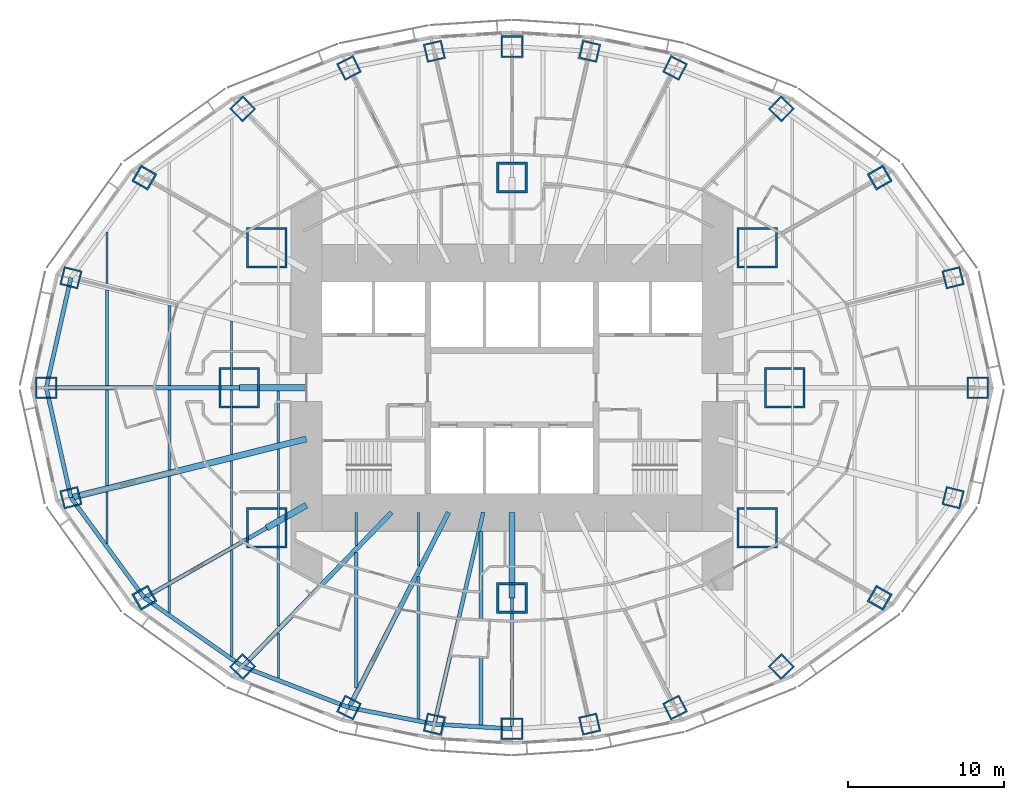
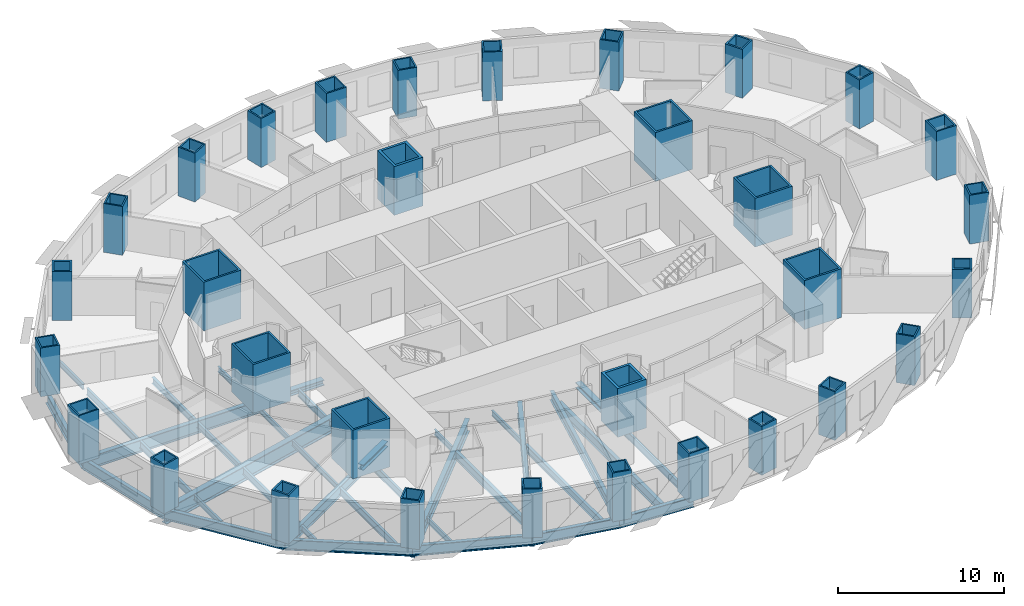
# One storey, part 1 of 15: 38 beams, 32 columns.
"""IFC4 building model written with IfcOpenShell, lengths in metres."""

from ifc_helpers import new_model, si_unit, direction, frame, origin, origin_2d, place, context, subcontext, project, spatial, rectangle, hollow_rectangle, i_section, extrude, material, material_profile, profile_set, type_object, element, save


model = new_model("IFC4")

# Units and contexts
model_context = context("Model", 3, precision=1e-05, world=origin(), true_north=direction((0.0, 1.0)))
body_context = subcontext(model_context, "Body", "Model", "MODEL_VIEW")
ifc_project = project(units=[si_unit("LENGTHUNIT", "METRE"), si_unit("AREAUNIT", "SQUARE_METRE"), si_unit("VOLUMEUNIT", "CUBIC_METRE"), si_unit("PLANEANGLEUNIT", "RADIAN"), si_unit("MASSUNIT", "GRAM", prefix="KILO")], contexts=[model_context])

# Site, building, storey
site_placement = place(None, origin())
site = spatial("IfcSite", under=ifc_project, at=site_placement, CompositionType="ELEMENT")
building_placement = place(site_placement, origin())
building = spatial("IfcBuilding", under=site, at=building_placement, Name="Lantaw Convention Tower", CompositionType="ELEMENT")
storey_placement = place(building_placement, frame((0.0, 0.0, 94.60009765625)))
storey = spatial("IfcBuildingStorey", under=building, at=storey_placement, Name="L22", CompositionType="ELEMENT", Elevation=94.60009765625)

# Columns
ifc_material_1 = material(Name="Steel EN 10025-3 S460N", Category="steel")
ifc_material_profile_1 = material_profile(ifc_material_1, hollow_rectangle(XDim=2.0, YDim=2.0, WallThickness=0.169921875, at=origin_2d()), Name="BOX2000X170")
ifc_material_2 = material(Name="Concrete C60/75", Category="concrete")
ifc_material_profile_2 = material_profile(ifc_material_2, rectangle(XDim=1.659912109375, YDim=1.659912109375, at=origin_2d()), Name="Concrete fill of BOX2000X170")
ifc_profile_set_1 = profile_set([ifc_material_profile_1, ifc_material_profile_2], Name="Steel EN 10025-3 S460N")
column_type_1 = type_object("IfcColumnType", Name="Column MC BOX2000X170", PredefinedType="COLUMN", material=ifc_profile_set_1)
for number, where, z_axis, x_axis, name in (
    (1, (0.0, 13.5, 0.0), (0.0, 0.0, 1.0), (1.0, 0.0, 0.0), "Mega column M3"),
    (2, (0.0, -13.5, 0.0), (0.0, 0.0, 1.0), (1.0, 0.0, 0.0), "Mega column M7"),
):
    element("IfcColumn", number, at=place(storey_placement, frame(where, z_axis=z_axis, x_axis=x_axis)), inside=storey, type_object=column_type_1, Name=name, PredefinedType="COLUMN", context=body_context, shape_type="SweptSolid", body=[
        extrude(hollow_rectangle(XDim=2.0, YDim=2.0, WallThickness=0.169921875, at=origin_2d()), origin(), (0.0, 0.0, 1.0), 3.599853515625),
    ])
ifc_material_profile_3 = material_profile(ifc_material_1, hollow_rectangle(XDim=2.60009765625, YDim=2.60009765625, WallThickness=0.1298828125, at=origin_2d()), Name="BOX2600X130")
ifc_material_profile_4 = material_profile(ifc_material_2, rectangle(XDim=2.340087890625, YDim=2.340087890625, at=origin_2d()), Name="Concrete fill of BOX2600X130")
ifc_profile_set_2 = profile_set([ifc_material_profile_3, ifc_material_profile_4], Name="Steel EN 10025-3 S460N")
column_type_2 = type_object("IfcColumnType", Name="Column MC BOX2600X130", PredefinedType="COLUMN", material=ifc_profile_set_2)
for number, where, z_axis, x_axis, name in (
    (3, (17.5, 0.0, 0.0), (0.0, 0.0, 1.0), (1.0, 0.0, 0.0), "Mega column M1"),
    (4, (15.75, 9.0, 0.0), (0.0, 0.0, 1.0), (1.0, 0.0, 0.0), "Mega column M2"),
    (5, (-15.75, 9.0, 0.0), (0.0, 0.0, 1.0), (1.0, 0.0, 0.0), "Mega column M4"),
    (6, (-17.5, 0.0, 0.0), (0.0, 0.0, 1.0), (1.0, 0.0, 0.0), "Mega column M5"),
    (7, (-15.75, -9.0, 0.0), (0.0, 0.0, 1.0), (1.0, 0.0, 0.0), "Mega column M6"),
    (8, (15.75, -9.0, 0.0), (0.0, 0.0, 1.0), (1.0, 0.0, 0.0), "Mega column M8"),
):
    element("IfcColumn", number, at=place(storey_placement, frame(where, z_axis=z_axis, x_axis=x_axis)), inside=storey, type_object=column_type_2, Name=name, PredefinedType="COLUMN", context=body_context, shape_type="SweptSolid", body=[
        extrude(hollow_rectangle(XDim=2.60009765625, YDim=2.60009765625, WallThickness=0.1298828125, at=origin_2d()), origin(), (0.0, 0.0, 1.0), 3.599853515625),
    ])
ifc_material_profile_5 = material_profile(ifc_material_1, hollow_rectangle(XDim=1.199951171875, YDim=1.199951171875, WallThickness=0.10009765625, at=origin_2d()), Name="BOX1200X100")
ifc_material_profile_6 = material_profile(ifc_material_2, rectangle(XDim=1.0, YDim=1.0, at=origin_2d()), Name="Concrete fill of BOX1200X100")
ifc_profile_set_3 = profile_set([ifc_material_profile_5, ifc_material_profile_6], Name="Steel EN 10025-3 S460N")
column_type_3 = type_object("IfcColumnType", Name="Column PC BOX1200X100", PredefinedType="COLUMN", material=ifc_profile_set_3)
for number, where, z_axis, x_axis, name in (
    (9, (28.31787109375, 7.060302734375, 0.0), (0.0, 0.0, 1.0), (0.970295726276, 0.2419218956, 0.0), "Perimeter column P2"),
    (10, (17.290771484375, 17.9052734375, 0.0), (0.0, 0.0, 1.0), (0.694658370459, 0.719339800339, 0.0), "Perimeter column P4"),
    (11, (10.462646484375, 20.533935546875, 0.0), (0.0, 0.0, 1.0), (0.45399049974, 0.891006524188, 0.0), "Perimeter column P5"),
    (12, (4.986328125, 21.59814453125, 0.0), (0.0, 0.0, 1.0), (0.224951054344, 0.974370064785, 0.0), "Perimeter column P6"),
    (13, (-4.986328125, 21.59814453125, 0.0), (0.0, 0.0, 1.0), (0.974370064785, 0.224951054344, 0.0), "Perimeter column P8"),
    (14, (-10.462646484375, 20.533935546875, 0.0), (0.0, 0.0, 1.0), (0.891006524188, 0.45399049974, 0.0), "Perimeter column P9"),
    (15, (-17.290771484375, 17.9052734375, 0.0), (0.0, 0.0, 1.0), (0.719339800339, 0.694658370459, 0.0), "Perimeter column P10"),
    (16, (-28.31787109375, 7.060302734375, 0.0), (0.0, 0.0, 1.0), (0.2419218956, 0.970295726276, 0.0), "Perimeter column P12"),
    (17, (-28.31787109375, -7.060302734375, 0.0), (0.0, 0.0, 1.0), (0.970295726276, 0.2419218956, 0.0), "Perimeter column P14"),
    (18, (-17.290771484375, -17.9052734375, 0.0), (0.0, 0.0, 1.0), (0.694658370459, 0.719339800339, 0.0), "Perimeter column P16"),
    (19, (-10.462646484375, -20.533935546875, 0.0), (0.0, 0.0, 1.0), (0.45399049974, 0.891006524188, 0.0), "Perimeter column P17"),
    (20, (-4.986328125, -21.59814453125, 0.0), (0.0, 0.0, 1.0), (0.224951054344, 0.974370064785, 0.0), "Perimeter column P18"),
    (21, (4.986328125, -21.59814453125, 0.0), (0.0, 0.0, 1.0), (0.974370064785, 0.224951054344, 0.0), "Perimeter column P20"),
    (22, (10.462646484375, -20.533935546875, 0.0), (0.0, 0.0, 1.0), (0.891006524188, 0.45399049974, 0.0), "Perimeter column P21"),
    (23, (17.290771484375, -17.9052734375, 0.0), (0.0, 0.0, 1.0), (0.719339800339, 0.694658370459, 0.0), "Perimeter column P22"),
    (24, (28.31787109375, -7.060302734375, 0.0), (0.0, 0.0, 1.0), (0.2419218956, 0.970295726276, 0.0), "Perimeter column P24"),
):
    element("IfcColumn", number, at=place(storey_placement, frame(where, z_axis=z_axis, x_axis=x_axis)), inside=storey, type_object=column_type_3, Name=name, PredefinedType="COLUMN", context=body_context, shape_type="SweptSolid", body=[
        extrude(hollow_rectangle(XDim=1.199951171875, YDim=1.199951171875, WallThickness=0.10009765625, at=origin_2d()), origin(), (0.0, 0.0, 1.0), 3.599853515625),
    ])
ifc_material_profile_7 = material_profile(ifc_material_1, hollow_rectangle(XDim=1.199951171875, YDim=1.199951171875, WallThickness=0.1201171875, at=origin_2d()), Name="BOX1200X120")
ifc_material_profile_8 = material_profile(ifc_material_2, rectangle(XDim=0.9599609375, YDim=0.9599609375, at=origin_2d()), Name="Concrete fill of BOX1200X120")
ifc_profile_set_4 = profile_set([ifc_material_profile_7, ifc_material_profile_8], Name="Steel EN 10025-3 S460N")
column_type_4 = type_object("IfcColumnType", Name="Column PC BOX1200X120", PredefinedType="COLUMN", material=ifc_profile_set_4)
for number, where, z_axis, x_axis, name in (
    (25, (23.60498046875, 13.488525390625, 0.0), (0.0, 0.0, 1.0), (0.86824298017, 0.496139221777, 0.0), "Perimeter column P3"),
    (26, (-23.60498046875, 13.488525390625, 0.0), (0.0, 0.0, 1.0), (0.496139221777, 0.86824298017, 0.0), "Perimeter column P11"),
    (27, (-23.60498046875, -13.488525390625, 0.0), (0.0, 0.0, 1.0), (0.86824298017, 0.496139221777, 0.0), "Perimeter column P15"),
    (28, (23.60498046875, -13.488525390625, 0.0), (0.0, 0.0, 1.0), (0.496139221777, 0.86824298017, 0.0), "Perimeter column P23"),
):
    element("IfcColumn", number, at=place(storey_placement, frame(where, z_axis=z_axis, x_axis=x_axis)), inside=storey, type_object=column_type_4, Name=name, PredefinedType="COLUMN", context=body_context, shape_type="SweptSolid", body=[
        extrude(hollow_rectangle(XDim=1.199951171875, YDim=1.199951171875, WallThickness=0.1201171875, at=origin_2d()), origin(), (0.0, 0.0, 1.0), 3.599853515625),
    ])
ifc_material_profile_9 = material_profile(ifc_material_1, hollow_rectangle(XDim=1.39990234375, YDim=1.39990234375, WallThickness=0.10009765625, at=origin_2d()), Name="BOX1400X100")
ifc_material_profile_10 = material_profile(ifc_material_2, rectangle(XDim=1.199951171875, YDim=1.199951171875, at=origin_2d()), Name="Concrete fill of BOX1400X100")
ifc_profile_set_5 = profile_set([ifc_material_profile_9, ifc_material_profile_10], Name="Steel EN 10025-3 S460N")
column_type_5 = type_object("IfcColumnType", Name="Column PC BOX1400X100", PredefinedType="COLUMN", material=ifc_profile_set_5)
for number, where, z_axis, x_axis, name in (
    (29, (29.89990234375, 0.0, 0.0), (0.0, 0.0, 1.0), (1.0, 0.0, 0.0), "Perimeter column P1"),
    (30, (0.0, 21.89990234375, 0.0), (0.0, 0.0, 1.0), (1.0, 0.0, 0.0), "Perimeter column P7"),
    (31, (-29.89990234375, 0.0, 0.0), (0.0, 0.0, 1.0), (1.0, 0.0, 0.0), "Perimeter column P13"),
    (32, (0.0, -21.89990234375, 0.0), (0.0, 0.0, 1.0), (1.0, 0.0, 0.0), "Perimeter column P19"),
):
    element("IfcColumn", number, at=place(storey_placement, frame(where, z_axis=z_axis, x_axis=x_axis)), inside=storey, type_object=column_type_5, Name=name, PredefinedType="COLUMN", context=body_context, shape_type="SweptSolid", body=[
        extrude(hollow_rectangle(XDim=1.39990234375, YDim=1.39990234375, WallThickness=0.10009765625, at=origin_2d()), origin(), (0.0, 0.0, 1.0), 3.599853515625),
    ])

# Beams
ifc_material_3 = material(Name="Steel ASTM A992", Category="steel")
ifc_material_profile_11 = material_profile(ifc_material_3, i_section(OverallWidth=0.2666015625, OverallDepth=0.76953125, WebThickness=0.015625, FlangeThickness=0.025390625, FilletRadius=0.0126953125, at=origin_2d()), Name="W30X132")
ifc_profile_set_6 = profile_set([ifc_material_profile_11], Name="Steel ASTM A992")
beam_type_1 = type_object("IfcBeamType", Name="Beam E W30X132", PredefinedType="SPANDREL", material=ifc_profile_set_6)
for number, where, z_axis, x_axis, name in (
    (33, (-28.31787109375, 7.060302734375, -0.534912109375), (-0.218652184873, -0.975802860239, 0.0), (0.975802860239, -0.218652184873, 0.0), "Edge beam 12"),
    (34, (-29.89990234375, 0.0, -0.534912109375), (0.218652184873, -0.975802860239, 0.0), (0.975802860239, 0.218652184873, 0.0), "Edge beam 13"),
):
    element("IfcBeam", number, at=place(storey_placement, frame(where, z_axis=z_axis, x_axis=x_axis)), inside=storey, type_object=beam_type_1, Name=name, PredefinedType="SPANDREL", context=body_context, shape_type="SweptSolid", body=[
        extrude(i_section(OverallWidth=0.2666015625, OverallDepth=0.76953125, WebThickness=0.015625, FlangeThickness=0.025390625, FilletRadius=0.0126953125, at=origin_2d()), origin(), (0.0, 0.0, 1.0), 7.2353515625),
    ])
beam_1_placement = place(storey_placement, frame((-28.31787109375, -7.060302734375, -0.534912109375), z_axis=(0.591270709086, -0.806473154281, 0.0), x_axis=(0.806473154281, 0.591270709086, 0.0)))
element("IfcBeam", 35, at=beam_1_placement, inside=storey, type_object=beam_type_1, Name="Edge beam 14", PredefinedType="SPANDREL", context=body_context, shape_type="SweptSolid", body=[
    extrude(i_section(OverallWidth=0.2666015625, OverallDepth=0.76953125, WebThickness=0.015625, FlangeThickness=0.025390625, FilletRadius=0.0126953125, at=origin_2d()), origin(), (0.0, 0.0, 1.0), 7.970703125),
])
beam_2_placement = place(storey_placement, frame((-23.60498046875, -13.488525390625, -0.534912109375), z_axis=(0.81942686407, -0.57318375277, 0.0), x_axis=(0.57318375277, 0.81942686407, 0.0)))
element("IfcBeam", 36, at=beam_2_placement, inside=storey, type_object=beam_type_1, Name="Edge beam 15", PredefinedType="SPANDREL", context=body_context, shape_type="SweptSolid", body=[
    extrude(i_section(OverallWidth=0.2666015625, OverallDepth=0.76953125, WebThickness=0.015625, FlangeThickness=0.025390625, FilletRadius=0.0126953125, at=origin_2d()), origin(), (0.0, 0.0, 1.0), 7.70556640625),
])
beam_3_placement = place(storey_placement, frame((-17.290771484375, -17.9052734375, -0.534912109375), z_axis=(0.933232900641, -0.359271976588, 0.0), x_axis=(0.359271976588, 0.933232900641, 0.0)))
element("IfcBeam", 37, at=beam_3_placement, inside=storey, type_object=beam_type_1, Name="Edge beam 16", PredefinedType="SPANDREL", context=body_context, shape_type="SweptSolid", body=[
    extrude(i_section(OverallWidth=0.2666015625, OverallDepth=0.76953125, WebThickness=0.015625, FlangeThickness=0.025390625, FilletRadius=0.0126953125, at=origin_2d()), origin(), (0.0, 0.0, 1.0), 7.316650390625),
])
beam_4_placement = place(storey_placement, frame((-10.462646484375, -20.533935546875, -0.534912109375), z_axis=(0.981636565323, -0.190760723474, 0.0), x_axis=(0.190760723474, 0.981636565323, 0.0)))
element("IfcBeam", 38, at=beam_4_placement, inside=storey, type_object=beam_type_1, Name="Edge beam 17", PredefinedType="SPANDREL", context=body_context, shape_type="SweptSolid", body=[
    extrude(i_section(OverallWidth=0.2666015625, OverallDepth=0.76953125, WebThickness=0.015625, FlangeThickness=0.025390625, FilletRadius=0.0126953125, at=origin_2d()), origin(), (0.0, 0.0, 1.0), 5.578857421875),
])
beam_5_placement = place(storey_placement, frame((-4.986328125, -21.59814453125, -0.534912109375), z_axis=(0.998173858406, -0.060406526096, 0.0), x_axis=(0.060406526096, 0.998173858406, 0.0)))
element("IfcBeam", 39, at=beam_5_placement, inside=storey, type_object=beam_type_1, Name="Edge beam 18", PredefinedType="SPANDREL", context=body_context, shape_type="SweptSolid", body=[
    extrude(i_section(OverallWidth=0.2666015625, OverallDepth=0.76953125, WebThickness=0.015625, FlangeThickness=0.025390625, FilletRadius=0.0126953125, at=origin_2d()), origin(), (0.0, 0.0, 1.0), 4.995361328125),
])
ifc_material_profile_12 = material_profile(ifc_material_3, i_section(OverallWidth=0.1650390625, OverallDepth=0.52587890625, WebThickness=0.0087890625, FlangeThickness=0.011474609375, FilletRadius=0.0126953125, at=origin_2d()), Name="W21X44")
ifc_profile_set_7 = profile_set([ifc_material_profile_12], Name="Steel ASTM A992")
beam_type_2 = type_object("IfcBeamType", Name="Beam G W21X44", PredefinedType="BEAM", material=ifc_profile_set_7)
beam_6_placement = place(storey_placement, frame((0.0, -13.5, -0.4130859375), z_axis=(0.0, -1.0, 0.0), x_axis=(1.0, 0.0, 0.0)))
element("IfcBeam", 40, at=beam_6_placement, inside=storey, type_object=beam_type_2, Name="Floor girder on ray 19", PredefinedType="BEAM", context=body_context, shape_type="SweptSolid", body=[
    extrude(i_section(OverallWidth=0.1650390625, OverallDepth=0.52587890625, WebThickness=0.0087890625, FlangeThickness=0.011474609375, FilletRadius=0.0126953125, at=origin_2d()), origin(), (0.0, 0.0, 1.0), 8.39990234375),
])
ifc_material_profile_13 = material_profile(ifc_material_3, i_section(OverallWidth=0.25390625, OverallDepth=0.683349609375, WebThickness=0.012451171875, FlangeThickness=0.01904296875, FilletRadius=0.01513671875, at=origin_2d()), Name="W27X94")
ifc_profile_set_8 = profile_set([ifc_material_profile_13], Name="Steel ASTM A992")
beam_type_3 = type_object("IfcBeamType", Name="Beam G W27X94", PredefinedType="BEAM", material=ifc_profile_set_8)
beam_7_placement = place(storey_placement, frame((-1.846923828125, -8.0, -0.49169921875), z_axis=(-0.224952773175, -0.97436966796, 0.0), x_axis=(0.97436966796, -0.224952773175, 0.0)))
element("IfcBeam", 41, at=beam_7_placement, inside=storey, type_object=beam_type_3, Name="Floor girder on ray 18", PredefinedType="BEAM", context=body_context, shape_type="SweptSolid", body=[
    extrude(i_section(OverallWidth=0.25390625, OverallDepth=0.683349609375, WebThickness=0.012451171875, FlangeThickness=0.01904296875, FilletRadius=0.01513671875, at=origin_2d()), origin(), (0.0, 0.0, 1.0), 13.955810546875),
])
ifc_material_profile_14 = material_profile(ifc_material_3, i_section(OverallWidth=0.2666015625, OverallDepth=0.7568359375, WebThickness=0.013916015625, FlangeThickness=0.019287109375, FilletRadius=0.0126953125, at=origin_2d()), Name="W30X108")
ifc_profile_set_9 = profile_set([ifc_material_profile_14], Name="Steel ASTM A992")
beam_type_4 = type_object("IfcBeamType", Name="Beam G W30X108", PredefinedType="BEAM", material=ifc_profile_set_9)
beam_8_placement = place(storey_placement, frame((-15.75, -9.0, -0.528564453125), z_axis=(-0.868244802791, -0.496136032179, 0.0), x_axis=(0.496136032179, -0.868244802791, 0.0)))
element("IfcBeam", 42, at=beam_8_placement, inside=storey, type_object=beam_type_4, Name="Floor girder on ray 15", PredefinedType="BEAM", context=body_context, shape_type="SweptSolid", body=[
    extrude(i_section(OverallWidth=0.2666015625, OverallDepth=0.7568359375, WebThickness=0.013916015625, FlangeThickness=0.019287109375, FilletRadius=0.0126953125, at=origin_2d()), origin(), (0.0, 0.0, 1.0), 9.046875),
])
ifc_material_profile_15 = material_profile(ifc_material_3, i_section(OverallWidth=0.307373046875, OverallDepth=0.922119140625, WebThickness=0.018310546875, FlangeThickness=0.030029296875, FilletRadius=0.0126953125, at=origin_2d()), Name="W36X182")
ifc_profile_set_10 = profile_set([ifc_material_profile_15], Name="Steel ASTM A992")
beam_type_5 = type_object("IfcBeamType", Name="Beam G W36X182", PredefinedType="BEAM", material=ifc_profile_set_10)
beam_9_placement = place(storey_placement, frame((-17.5, 0.0, -0.611083984375), z_axis=(-1.0, 0.0, 0.0), x_axis=(0.0, -1.0, 0.0)))
element("IfcBeam", 43, at=beam_9_placement, inside=storey, type_object=beam_type_5, Name="Floor girder on ray 13", PredefinedType="BEAM", context=body_context, shape_type="SweptSolid", body=[
    extrude(i_section(OverallWidth=0.307373046875, OverallDepth=0.922119140625, WebThickness=0.018310546875, FlangeThickness=0.030029296875, FilletRadius=0.0126953125, at=origin_2d()), origin(), (0.0, 0.0, 1.0), 12.39990234375),
])
beam_10_placement = place(storey_placement, frame((-7.7255859375, -8.0, -0.611083984375), z_axis=(-0.694649884291, -0.719347995239, 0.0), x_axis=(0.719347995239, -0.694649884291, 0.0)))
element("IfcBeam", 44, at=beam_10_placement, inside=storey, type_object=beam_type_5, Name="Floor girder on ray 16", PredefinedType="BEAM", context=body_context, shape_type="SweptSolid", body=[
    extrude(i_section(OverallWidth=0.307373046875, OverallDepth=0.922119140625, WebThickness=0.018310546875, FlangeThickness=0.030029296875, FilletRadius=0.0126953125, at=origin_2d()), origin(), (0.0, 0.0, 1.0), 13.769775390625),
])
beam_11_placement = place(storey_placement, frame((-4.076171875, -8.0, -0.611083984375), z_axis=(-0.453997016122, -0.891003203896, 0.0), x_axis=(0.891003203896, -0.453997016122, 0.0)))
element("IfcBeam", 45, at=beam_11_placement, inside=storey, type_object=beam_type_5, Name="Floor girder on ray 17", PredefinedType="BEAM", context=body_context, shape_type="SweptSolid", body=[
    extrude(i_section(OverallWidth=0.307373046875, OverallDepth=0.922119140625, WebThickness=0.018310546875, FlangeThickness=0.030029296875, FilletRadius=0.0126953125, at=origin_2d()), origin(), (0.0, 0.0, 1.0), 14.067138671875),
])
ifc_material_profile_16 = material_profile(ifc_material_3, i_section(OverallWidth=0.40380859375, OverallDepth=1.11767578125, WebThickness=0.026123046875, FlangeThickness=0.044921875, FilletRadius=0.02001953125, at=origin_2d()), Name="W44X335")
ifc_profile_set_11 = profile_set([ifc_material_profile_16], Name="Steel ASTM A992")
beam_type_6 = type_object("IfcBeamType", Name="Beam G W44X335", PredefinedType="BEAM", material=ifc_profile_set_11)
beam_12_placement = place(storey_placement, frame((-13.199951171875, -3.291015625, -0.708984375), z_axis=(-0.970296233567, -0.241919860957, 0.0), x_axis=(0.241919860957, -0.970296233567, 0.0)))
element("IfcBeam", 46, at=beam_12_placement, inside=storey, type_object=beam_type_6, Name="Floor girder on ray 14", PredefinedType="BEAM", context=body_context, shape_type="SweptSolid", body=[
    extrude(i_section(OverallWidth=0.40380859375, OverallDepth=1.11767578125, WebThickness=0.026123046875, FlangeThickness=0.044921875, FilletRadius=0.02001953125, at=origin_2d()), origin(), (0.0, 0.0, 1.0), 15.580810546875),
])
ifc_material_profile_17 = material_profile(ifc_material_3, i_section(OverallWidth=0.40380859375, OverallDepth=0.406494140625, WebThickness=0.027099609375, FlangeThickness=0.043701171875, FilletRadius=0.01513671875, at=origin_2d()), Name="W14X233")
ifc_profile_set_12 = profile_set([ifc_material_profile_17], Name="Steel ASTM A992")
beam_type_7 = type_object("IfcBeamType", Name="Beam GM W14X233", PredefinedType="BEAM", material=ifc_profile_set_12)
beam_13_placement = place(storey_placement, frame((-13.199951171875, 0.0, -0.353271484375), z_axis=(-1.0, 0.0, 0.0), x_axis=(0.0, -1.0, 0.0)))
element("IfcBeam", 47, at=beam_13_placement, inside=storey, type_object=beam_type_7, Name="Core link beam on ray 13", PredefinedType="BEAM", context=body_context, shape_type="SweptSolid", body=[
    extrude(i_section(OverallWidth=0.40380859375, OverallDepth=0.406494140625, WebThickness=0.027099609375, FlangeThickness=0.043701171875, FilletRadius=0.01513671875, at=origin_2d()), origin(), (0.0, 0.0, 1.0), 4.300048828125),
])
beam_14_placement = place(storey_placement, frame((-13.199951171875, -7.54296875, -0.353271484375), z_axis=(-0.868263603466, -0.496103129295, 0.0), x_axis=(0.496103129295, -0.868263603466, 0.0)))
element("IfcBeam", 48, at=beam_14_placement, inside=storey, type_object=beam_type_7, Name="Core link beam on ray 15", PredefinedType="BEAM", context=body_context, shape_type="SweptSolid", body=[
    extrude(i_section(OverallWidth=0.40380859375, OverallDepth=0.406494140625, WebThickness=0.027099609375, FlangeThickness=0.043701171875, FilletRadius=0.01513671875, at=origin_2d()), origin(), (0.0, 0.0, 1.0), 2.93701171875),
])
beam_15_placement = place(storey_placement, frame((0.0, -8.0, -0.353271484375), z_axis=(0.0, -1.0, 0.0), x_axis=(1.0, 0.0, 0.0)))
element("IfcBeam", 49, at=beam_15_placement, inside=storey, type_object=beam_type_7, Name="Core link beam on ray 19", PredefinedType="BEAM", context=body_context, shape_type="SweptSolid", body=[
    extrude(i_section(OverallWidth=0.40380859375, OverallDepth=0.406494140625, WebThickness=0.027099609375, FlangeThickness=0.043701171875, FilletRadius=0.01513671875, at=origin_2d()), origin(), (0.0, 0.0, 1.0), 5.5),
])
ifc_material_profile_18 = material_profile(ifc_material_3, i_section(OverallWidth=0.140380859375, OverallDepth=0.40380859375, WebThickness=0.007080078125, FlangeThickness=0.01123046875, FilletRadius=0.01025390625, at=origin_2d()), Name="W16X31")
ifc_profile_set_13 = profile_set([ifc_material_profile_18], Name="Steel ASTM A992")
beam_type_8 = type_object("IfcBeamType", Name="Beam J W16X31", PredefinedType="JOIST", material=ifc_profile_set_13)
for number, where, z_axis, x_axis, name in (
    (50, (-26.0, -9.996337890625, -0.35205078125), (0.0, 1.0, 0.0), (-1.0, 0.0, 0.0), "Floor joist"),
    (51, (-26.0, 6.690673828125, -0.35205078125), (0.0, 1.0, 0.0), (-1.0, 0.0, 0.0), "Floor joist"),
):
    element("IfcBeam", number, at=place(storey_placement, frame(where, z_axis=z_axis, x_axis=x_axis)), inside=storey, type_object=beam_type_8, Name=name, PredefinedType="JOIST", context=body_context, shape_type="SweptSolid", body=[
        extrude(i_section(OverallWidth=0.140380859375, OverallDepth=0.40380859375, WebThickness=0.007080078125, FlangeThickness=0.01123046875, FilletRadius=0.01025390625, at=origin_2d()), origin(), (0.0, 0.0, 1.0), 3.3056640625),
    ])
beam_16_placement = place(storey_placement, frame((-22.0, -14.448486328125, -0.35205078125), z_axis=(0.0, 1.0, 0.0), x_axis=(-1.0, 0.0, 0.0)))
element("IfcBeam", 52, at=beam_16_placement, inside=storey, type_object=beam_type_8, Name="Floor joist", PredefinedType="JOIST", context=body_context, shape_type="SweptSolid", body=[
    extrude(i_section(OverallWidth=0.140380859375, OverallDepth=0.40380859375, WebThickness=0.007080078125, FlangeThickness=0.01123046875, FilletRadius=0.01025390625, at=origin_2d()), origin(), (0.0, 0.0, 1.0), 1.723388671875),
])
beam_17_placement = place(storey_placement, frame((-18.0, -10.132080078125, -0.35205078125), z_axis=(0.0, 1.0, 0.0), x_axis=(-1.0, 0.0, 0.0)))
element("IfcBeam", 53, at=beam_17_placement, inside=storey, type_object=beam_type_8, Name="Floor joist", PredefinedType="JOIST", context=body_context, shape_type="SweptSolid", body=[
    extrude(i_section(OverallWidth=0.140380859375, OverallDepth=0.40380859375, WebThickness=0.007080078125, FlangeThickness=0.01123046875, FilletRadius=0.01025390625, at=origin_2d()), origin(), (0.0, 0.0, 1.0), 5.43603515625),
])
for number, where, z_axis, x_axis, name in (
    (54, (-18.0, -4.27978515625, -0.35205078125), (0.0, 1.0, 0.0), (-1.0, 0.0, 0.0), "Floor joist"),
    (55, (-18.0, 0.153564453125, -0.35205078125), (0.0, 1.0, 0.0), (-1.0, 0.0, 0.0), "Floor joist"),
):
    element("IfcBeam", number, at=place(storey_placement, frame(where, z_axis=z_axis, x_axis=x_axis)), inside=storey, type_object=beam_type_8, Name=name, PredefinedType="JOIST", context=body_context, shape_type="SweptSolid", body=[
        extrude(i_section(OverallWidth=0.140380859375, OverallDepth=0.40380859375, WebThickness=0.007080078125, FlangeThickness=0.01123046875, FilletRadius=0.01025390625, at=origin_2d()), origin(), (0.0, 0.0, 1.0), 4.126220703125),
    ])
beam_18_placement = place(storey_placement, frame((-15.0, -18.644287109375, -0.35205078125), z_axis=(0.0, 1.0, 0.0), x_axis=(-1.0, 0.0, 0.0)))
element("IfcBeam", 56, at=beam_18_placement, inside=storey, type_object=beam_type_8, Name="Floor joist", PredefinedType="JOIST", context=body_context, shape_type="SweptSolid", body=[
    extrude(i_section(OverallWidth=0.140380859375, OverallDepth=0.40380859375, WebThickness=0.007080078125, FlangeThickness=0.01123046875, FilletRadius=0.01025390625, at=origin_2d()), origin(), (0.0, 0.0, 1.0), 2.89013671875),
])
beam_19_placement = place(storey_placement, frame((-15.0, -8.3388671875, -0.35205078125), z_axis=(0.0, 1.0, 0.0), x_axis=(-1.0, 0.0, 0.0)))
element("IfcBeam", 57, at=beam_19_placement, inside=storey, type_object=beam_type_8, Name="Floor joist", PredefinedType="JOIST", context=body_context, shape_type="SweptSolid", body=[
    extrude(i_section(OverallWidth=0.140380859375, OverallDepth=0.40380859375, WebThickness=0.007080078125, FlangeThickness=0.01123046875, FilletRadius=0.01025390625, at=origin_2d()), origin(), (0.0, 0.0, 1.0), 4.390869140625),
])
beam_20_placement = place(storey_placement, frame((-10.0, -10.134033203125, -0.35205078125), z_axis=(0.0, 1.0, 0.0), x_axis=(-1.0, 0.0, 0.0)))
element("IfcBeam", 58, at=beam_20_placement, inside=storey, type_object=beam_type_8, Name="Floor joist", PredefinedType="JOIST", context=body_context, shape_type="SweptSolid", body=[
    extrude(i_section(OverallWidth=0.140380859375, OverallDepth=0.40380859375, WebThickness=0.007080078125, FlangeThickness=0.01123046875, FilletRadius=0.01025390625, at=origin_2d()), origin(), (0.0, 0.0, 1.0), 2.134033203125),
])
beam_21_placement = place(storey_placement, frame((-6.0, -11.437255859375, -0.35205078125), z_axis=(0.0, 1.0, 0.0), x_axis=(-1.0, 0.0, 0.0)))
element("IfcBeam", 59, at=beam_21_placement, inside=storey, type_object=beam_type_8, Name="Floor joist", PredefinedType="JOIST", context=body_context, shape_type="SweptSolid", body=[
    extrude(i_section(OverallWidth=0.140380859375, OverallDepth=0.40380859375, WebThickness=0.007080078125, FlangeThickness=0.01123046875, FilletRadius=0.01025390625, at=origin_2d()), origin(), (0.0, 0.0, 1.0), 3.437255859375),
])
ifc_material_profile_19 = material_profile(ifc_material_3, i_section(OverallWidth=0.1904296875, OverallDepth=0.457275390625, WebThickness=0.009033203125, FlangeThickness=0.014404296875, FilletRadius=0.01025390625, at=origin_2d()), Name="W18X50")
ifc_profile_set_14 = profile_set([ifc_material_profile_19], Name="Steel ASTM A992")
beam_type_9 = type_object("IfcBeamType", Name="Beam J W18X50", PredefinedType="JOIST", material=ifc_profile_set_14)
for number, where, z_axis, x_axis, name in (
    (60, (-22.0, -5.277099609375, -0.378662109375), (0.0, 1.0, 0.0), (-1.0, 0.0, 0.0), "Floor joist"),
    (61, (-22.0, 0.153564453125, -0.378662109375), (0.0, 1.0, 0.0), (-1.0, 0.0, 0.0), "Floor joist"),
):
    element("IfcBeam", number, at=place(storey_placement, frame(where, z_axis=z_axis, x_axis=x_axis)), inside=storey, type_object=beam_type_9, Name=name, PredefinedType="JOIST", context=body_context, shape_type="SweptSolid", body=[
        extrude(i_section(OverallWidth=0.1904296875, OverallDepth=0.457275390625, WebThickness=0.009033203125, FlangeThickness=0.014404296875, FilletRadius=0.01025390625, at=origin_2d()), origin(), (0.0, 0.0, 1.0), 5.12353515625),
    ])
ifc_material_profile_20 = material_profile(ifc_material_3, i_section(OverallWidth=0.1650390625, OverallDepth=0.52587890625, WebThickness=0.0087890625, FlangeThickness=0.011474609375, FilletRadius=0.0126953125, at=origin_2d()), Name="W21X44")
ifc_profile_set_15 = profile_set([ifc_material_profile_20], Name="Steel ASTM A992")
beam_type_10 = type_object("IfcBeamType", Name="Beam J W21X44", PredefinedType="JOIST", material=ifc_profile_set_15)
beam_22_placement = place(storey_placement, frame((-22.0, -12.41796875, -0.4130859375), z_axis=(0.0, 1.0, 0.0), x_axis=(-1.0, 0.0, 0.0)))
element("IfcBeam", 62, at=beam_22_placement, inside=storey, type_object=beam_type_10, Name="Floor joist", PredefinedType="JOIST", context=body_context, shape_type="SweptSolid", body=[
    extrude(i_section(OverallWidth=0.1650390625, OverallDepth=0.52587890625, WebThickness=0.0087890625, FlangeThickness=0.011474609375, FilletRadius=0.0126953125, at=origin_2d()), origin(), (0.0, 0.0, 1.0), 6.724609375),
])
beam_23_placement = place(storey_placement, frame((-18.0, -17.246337890625, -0.4130859375), z_axis=(0.0, 1.0, 0.0), x_axis=(-1.0, 0.0, 0.0)))
element("IfcBeam", 63, at=beam_23_placement, inside=storey, type_object=beam_type_10, Name="Floor joist", PredefinedType="JOIST", context=body_context, shape_type="SweptSolid", body=[
    extrude(i_section(OverallWidth=0.1650390625, OverallDepth=0.52587890625, WebThickness=0.0087890625, FlangeThickness=0.011474609375, FilletRadius=0.0126953125, at=origin_2d()), origin(), (0.0, 0.0, 1.0), 6.80712890625),
])
beam_24_placement = place(storey_placement, frame((-15.0, -15.311767578125, -0.4130859375), z_axis=(0.0, 1.0, 0.0), x_axis=(-1.0, 0.0, 0.0)))
element("IfcBeam", 64, at=beam_24_placement, inside=storey, type_object=beam_type_10, Name="Floor joist", PredefinedType="JOIST", context=body_context, shape_type="SweptSolid", body=[
    extrude(i_section(OverallWidth=0.1650390625, OverallDepth=0.52587890625, WebThickness=0.0087890625, FlangeThickness=0.011474609375, FilletRadius=0.0126953125, at=origin_2d()), origin(), (0.0, 0.0, 1.0), 6.5078125),
])
ifc_material_profile_21 = material_profile(ifc_material_3, i_section(OverallWidth=0.165771484375, OverallDepth=0.5283203125, WebThickness=0.009765625, FlangeThickness=0.013671875, FilletRadius=0.012939453125, at=origin_2d()), Name="W21X50")
ifc_profile_set_16 = profile_set([ifc_material_profile_21], Name="Steel ASTM A992")
beam_type_11 = type_object("IfcBeamType", Name="Beam J W21X50", PredefinedType="JOIST", material=ifc_profile_set_16)
for number, where, z_axis, x_axis, name in (
    (65, (-26.0, -6.2744140625, -0.414306640625), (0.0, 1.0, 0.0), (-1.0, 0.0, 0.0), "Floor joist"),
    (66, (-26.0, 0.153564453125, -0.414306640625), (0.0, 1.0, 0.0), (-1.0, 0.0, 0.0), "Floor joist"),
):
    element("IfcBeam", number, at=place(storey_placement, frame(where, z_axis=z_axis, x_axis=x_axis)), inside=storey, type_object=beam_type_11, Name=name, PredefinedType="JOIST", context=body_context, shape_type="SweptSolid", body=[
        extrude(i_section(OverallWidth=0.165771484375, OverallDepth=0.5283203125, WebThickness=0.009765625, FlangeThickness=0.013671875, FilletRadius=0.012939453125, at=origin_2d()), origin(), (0.0, 0.0, 1.0), 6.120849609375),
    ])
beam_25_placement = place(storey_placement, frame((-15.0, -3.53173828125, -0.414306640625), z_axis=(0.0, 1.0, 0.0), x_axis=(-1.0, 0.0, 0.0)))
element("IfcBeam", 67, at=beam_25_placement, inside=storey, type_object=beam_type_11, Name="Floor joist", PredefinedType="JOIST", context=body_context, shape_type="SweptSolid", body=[
    extrude(i_section(OverallWidth=0.165771484375, OverallDepth=0.5283203125, WebThickness=0.009765625, FlangeThickness=0.013671875, FilletRadius=0.012939453125, at=origin_2d()), origin(), (0.0, 0.0, 1.0), 3.329833984375),
])
ifc_material_profile_22 = material_profile(ifc_material_3, i_section(OverallWidth=0.2099609375, OverallDepth=0.535888671875, WebThickness=0.010986328125, FlangeThickness=0.017333984375, FilletRadius=0.012939453125, at=origin_2d()), Name="W21X68")
ifc_profile_set_17 = profile_set([ifc_material_profile_22], Name="Steel ASTM A992")
beam_type_12 = type_object("IfcBeamType", Name="Beam J W21X68", PredefinedType="JOIST", material=ifc_profile_set_17)
beam_26_placement = place(storey_placement, frame((-6.0, -21.26513671875, -0.41796875), z_axis=(0.0, 1.0, 0.0), x_axis=(-1.0, 0.0, 0.0)))
element("IfcBeam", 68, at=beam_26_placement, inside=storey, type_object=beam_type_12, Name="Floor joist", PredefinedType="JOIST", context=body_context, shape_type="SweptSolid", body=[
    extrude(i_section(OverallWidth=0.2099609375, OverallDepth=0.535888671875, WebThickness=0.010986328125, FlangeThickness=0.017333984375, FilletRadius=0.012939453125, at=origin_2d()), origin(), (0.0, 0.0, 1.0), 9.15087890625),
])
ifc_material_profile_23 = material_profile(ifc_material_3, i_section(OverallWidth=0.227783203125, OverallDepth=0.60205078125, WebThickness=0.010498046875, FlangeThickness=0.014892578125, FilletRadius=0.012939453125, at=origin_2d()), Name="W24X68")
ifc_profile_set_18 = profile_set([ifc_material_profile_23], Name="Steel ASTM A992")
beam_type_13 = type_object("IfcBeamType", Name="Beam J W24X68", PredefinedType="JOIST", material=ifc_profile_set_18)
beam_27_placement = place(storey_placement, frame((-10.0, -19.28759765625, -0.451171875), z_axis=(0.0, 1.0, 0.0), x_axis=(-1.0, 0.0, 0.0)))
element("IfcBeam", 69, at=beam_27_placement, inside=storey, type_object=beam_type_13, Name="Floor joist", PredefinedType="JOIST", context=body_context, shape_type="SweptSolid", body=[
    extrude(i_section(OverallWidth=0.227783203125, OverallDepth=0.60205078125, WebThickness=0.010498046875, FlangeThickness=0.014892578125, FilletRadius=0.012939453125, at=origin_2d()), origin(), (0.0, 0.0, 1.0), 8.711181640625),
])
ifc_material_profile_24 = material_profile(ifc_material_3, i_section(OverallWidth=0.25390625, OverallDepth=0.700927734375, WebThickness=0.015380859375, FlangeThickness=0.02783203125, FilletRadius=0.01513671875, at=origin_2d()), Name="W27X129")
ifc_profile_set_19 = profile_set([ifc_material_profile_24], Name="Steel ASTM A992")
beam_type_14 = type_object("IfcBeamType", Name="Beam J W27X129", PredefinedType="JOIST", material=ifc_profile_set_19)
beam_28_placement = place(storey_placement, frame((-2.0, -21.645263671875, -0.500732421875), z_axis=(0.0, 1.0, 0.0), x_axis=(-1.0, 0.0, 0.0)))
element("IfcBeam", 70, at=beam_28_placement, inside=storey, type_object=beam_type_14, Name="Floor joist", PredefinedType="JOIST", context=body_context, shape_type="SweptSolid", body=[
    extrude(i_section(OverallWidth=0.25390625, OverallDepth=0.700927734375, WebThickness=0.015380859375, FlangeThickness=0.02783203125, FilletRadius=0.01513671875, at=origin_2d()), origin(), (0.0, 0.0, 1.0), 12.417724609375),
])

save(model, "model.ifc")
